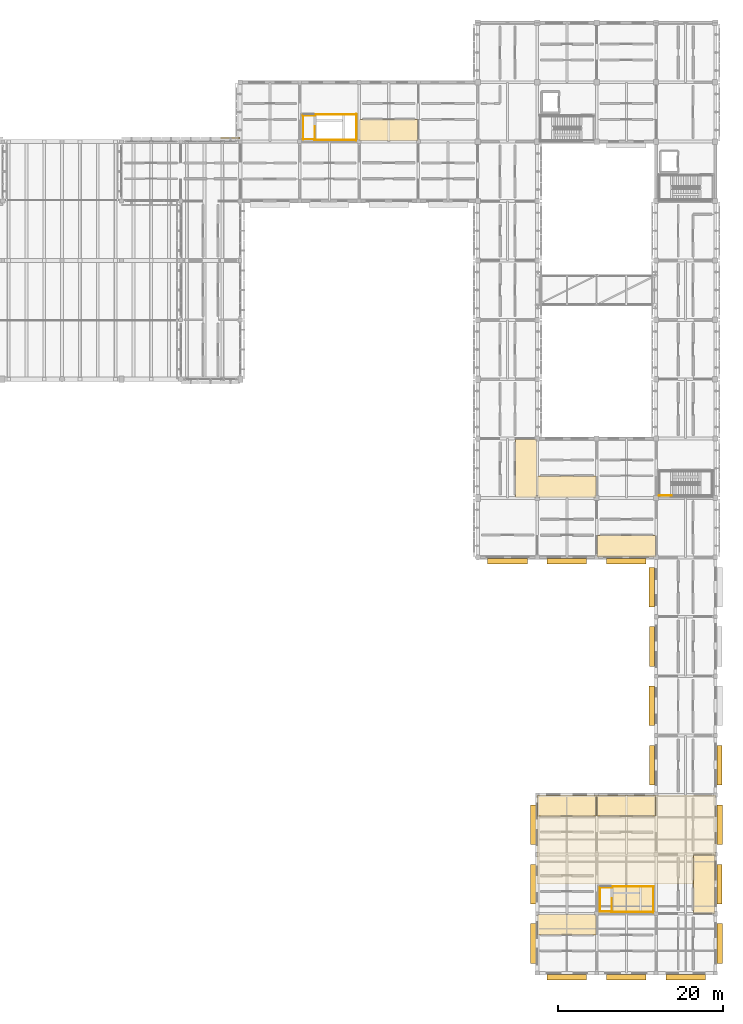
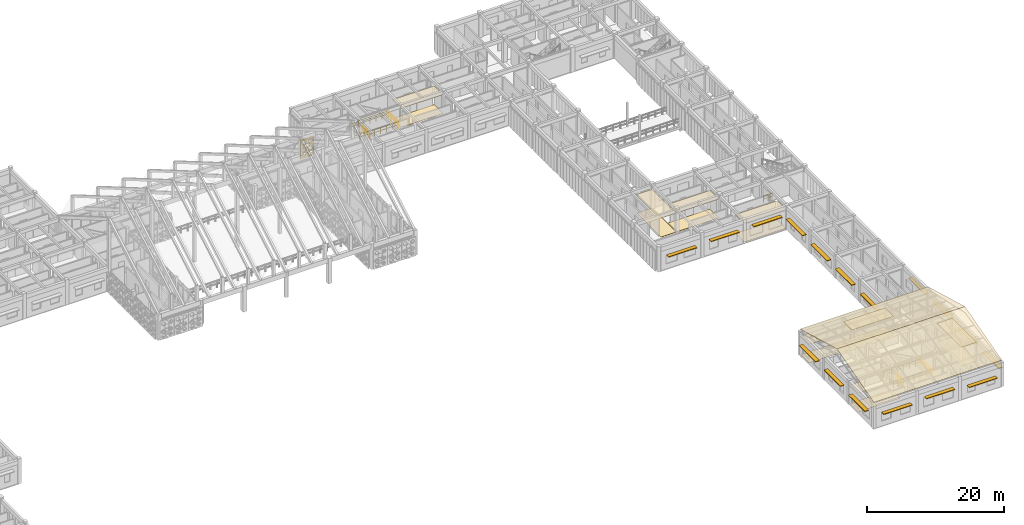
# One storey, part 168 of 171: 19 coverings, 17 shading devices, 15 railings.
"""IFC4 building model written with IfcOpenShell, lengths in metres."""

from ifc_helpers import new_model, si_unit, direction, frame, origin, origin_2d, place, context, subcontext, project, spatial, polyline, rectangle, circle, outline, extrude, material, layer, layer_set, type_object, element, save


model = new_model("IFC4")

# Units and contexts
model_context = context("Model", 3, precision=1e-05, world=origin(), true_north=direction((0.0, 1.0)))
body_context = subcontext(model_context, "Body", "Model", "MODEL_VIEW")
ifc_project = project(units=[si_unit("LENGTHUNIT", "METRE"), si_unit("AREAUNIT", "SQUARE_METRE"), si_unit("VOLUMEUNIT", "CUBIC_METRE"), si_unit("PLANEANGLEUNIT", "RADIAN"), si_unit("MASSUNIT", "GRAM", prefix="KILO")], contexts=[model_context])

# Site, building, storey
site_placement = place(None, origin())
site = spatial("IfcSite", under=ifc_project, at=site_placement, CompositionType="ELEMENT")
building_placement = place(site_placement, origin())
building = spatial("IfcBuilding", under=site, at=building_placement, Name="Aldebral Square Health Centre", CompositionType="ELEMENT")
storey_placement = place(building_placement, frame((0.0, 0.0, 4.5)))
storey = spatial("IfcBuildingStorey", under=building, at=storey_placement, Name="L01", CompositionType="ELEMENT", Elevation=4.5)

# Coverings
ifc_material_1 = material(Name="Hygienic acoustic mineral ceiling tile")
ifc_layer_1 = layer(ifc_material_1, 0.02001953125, Name="Hygienic acoustic mineral ceiling tile")
ifc_layer_set_1 = layer_set([ifc_layer_1], Name="Hygienic acoustic mineral ceiling tile")
covering_type_1 = type_object("IfcCoveringType", Name="COV-CLG-AC", PredefinedType="CEILING", material=ifc_layer_set_1)
covering_1_placement = place(storey_placement, frame((0.0, 0.0, 3.340087890625)))
element("IfcCovering", 1, at=covering_1_placement, inside=storey, type_object=covering_type_1, Name="L01 Occupational Therapy Workshop 21.1N acoustic ceiling", PredefinedType="CEILING", context=body_context, shape_type="SweptSolid", body=[
    extrude(outline(polyline([(144.06005859375, 4.639892578125), (151.139892578125, 4.639892578125), (151.139892578125, 7.139892578125), (144.06005859375, 7.139892578125), (144.06005859375, 4.639892578125)])), origin(), (0.0, 0.0, 1.0), 0.02001953125),
])
covering_2_placement = place(storey_placement, frame((0.0, 0.0, 3.340087890625)))
element("IfcCovering", 2, at=covering_2_placement, inside=storey, type_object=covering_type_1, Name="L01 Occupational Therapy Workshop 21.3N acoustic ceiling", PredefinedType="CEILING", context=body_context, shape_type="SweptSolid", body=[
    extrude(outline(polyline([(144.06005859375, 19.0400390625), (151.139892578125, 19.0400390625), (151.139892578125, 21.5400390625), (144.06005859375, 21.5400390625), (144.06005859375, 19.0400390625)])), origin(), (0.0, 0.0, 1.0), 0.02001953125),
])
covering_3_placement = place(storey_placement, frame((0.0, 0.0, 3.340087890625)))
element("IfcCovering", 3, at=covering_3_placement, inside=storey, type_object=covering_type_1, Name="L01 Occupational Therapy Workshop 22.3N acoustic ceiling", PredefinedType="CEILING", context=body_context, shape_type="SweptSolid", body=[
    extrude(outline(polyline([(151.260009765625, 19.0400390625), (158.340087890625, 19.0400390625), (158.340087890625, 21.5400390625), (151.260009765625, 21.5400390625), (151.260009765625, 19.0400390625)])), origin(), (0.0, 0.0, 1.0), 0.02001953125),
])
covering_4_placement = place(storey_placement, frame((0.0, 0.0, 3.340087890625)))
element("IfcCovering", 4, at=covering_4_placement, inside=storey, type_object=covering_type_1, Name="L01 Occupational Therapy Workshop 23.2E acoustic ceiling", PredefinedType="CEILING", context=body_context, shape_type="SweptSolid", body=[
    extrude(outline(polyline([(162.93994140625, 7.260009765625), (165.5400390625, 7.260009765625), (165.5400390625, 14.340087890625), (162.93994140625, 14.340087890625), (162.93994140625, 7.260009765625)])), origin(), (0.0, 0.0, 1.0), 0.02001953125),
])
covering_5_placement = place(storey_placement, frame((0.0, 0.0, 3.340087890625)))
element("IfcCovering", 5, at=covering_5_placement, inside=storey, type_object=covering_type_1, Name="L01 Pulmonary Function Clinic 18.15S acoustic ceiling", PredefinedType="CEILING", context=body_context, shape_type="SweptSolid", body=[
    extrude(outline(polyline([(122.4599609375, 100.860107421875), (129.5400390625, 100.860107421875), (129.5400390625, 103.47998046875), (122.4599609375, 103.47998046875), (122.4599609375, 100.860107421875)])), origin(), (0.0, 0.0, 1.0), 0.02001953125),
])
covering_6_placement = place(storey_placement, frame((0.0, 0.0, 3.340087890625)))
element("IfcCovering", 6, at=covering_6_placement, inside=storey, type_object=covering_type_1, Name="L01 Audiology Testing Booth 20.9E acoustic ceiling", PredefinedType="CEILING", context=body_context, shape_type="SweptSolid", body=[
    extrude(outline(polyline([(141.340087890625, 57.659912109375), (143.93994140625, 57.659912109375), (143.93994140625, 64.739990234375), (141.340087890625, 64.739990234375), (141.340087890625, 57.659912109375)])), origin(), (0.0, 0.0, 1.0), 0.02001953125),
])
covering_7_placement = place(storey_placement, frame((0.0, 0.0, 3.340087890625)))
element("IfcCovering", 7, at=covering_7_placement, inside=storey, type_object=covering_type_1, Name="L01 Clean Supply Store 21.9S acoustic ceiling", PredefinedType="CEILING", context=body_context, shape_type="SweptSolid", body=[
    extrude(outline(polyline([(144.06005859375, 57.659912109375), (151.139892578125, 57.659912109375), (151.139892578125, 60.280029296875), (144.06005859375, 60.280029296875), (144.06005859375, 57.659912109375)])), origin(), (0.0, 0.0, 1.0), 0.02001953125),
])
covering_8_placement = place(storey_placement, frame((0.0, 0.0, 3.340087890625)))
element("IfcCovering", 8, at=covering_8_placement, inside=storey, type_object=covering_type_1, Name="L01 Pulmonary Function Clinic 22.8S acoustic ceiling", PredefinedType="CEILING", context=body_context, shape_type="SweptSolid", body=[
    extrude(outline(polyline([(151.260009765625, 50.4599609375), (158.340087890625, 50.4599609375), (158.340087890625, 53.080078125), (151.260009765625, 53.080078125), (151.260009765625, 50.4599609375)])), origin(), (0.0, 0.0, 1.0), 0.02001953125),
])
ifc_material_2 = material(Name="Antimicrobial clinical vinyl flooring")
ifc_layer_2 = layer(ifc_material_2, 0.014892578125, Name="Antimicrobial clinical vinyl flooring")
ifc_layer_set_2 = layer_set([ifc_layer_2], Name="Antimicrobial clinical vinyl flooring")
covering_type_2 = type_object("IfcCoveringType", Name="COV-FLR-VN", PredefinedType="FLOORING", material=ifc_layer_set_2)
covering_9_placement = place(storey_placement, origin())
element("IfcCovering", 9, at=covering_9_placement, inside=storey, type_object=covering_type_2, Name="L01 Occupational Therapy Workshop 21.1N clinical flooring", PredefinedType="FLOORING", context=body_context, shape_type="SweptSolid", body=[
    extrude(outline(polyline([(144.06005859375, 4.639892578125), (151.139892578125, 4.639892578125), (151.139892578125, 7.139892578125), (144.06005859375, 7.139892578125), (144.06005859375, 4.639892578125)])), origin(), (0.0, 0.0, 1.0), 0.014892578125),
])
covering_10_placement = place(storey_placement, origin())
element("IfcCovering", 10, at=covering_10_placement, inside=storey, type_object=covering_type_2, Name="L01 Occupational Therapy Workshop 21.3N clinical flooring", PredefinedType="FLOORING", context=body_context, shape_type="SweptSolid", body=[
    extrude(outline(polyline([(144.06005859375, 19.0400390625), (151.139892578125, 19.0400390625), (151.139892578125, 21.5400390625), (144.06005859375, 21.5400390625), (144.06005859375, 19.0400390625)])), origin(), (0.0, 0.0, 1.0), 0.014892578125),
])
covering_11_placement = place(storey_placement, origin())
element("IfcCovering", 11, at=covering_11_placement, inside=storey, type_object=covering_type_2, Name="L01 Occupational Therapy Workshop 22.3N clinical flooring", PredefinedType="FLOORING", context=body_context, shape_type="SweptSolid", body=[
    extrude(outline(polyline([(151.260009765625, 19.0400390625), (158.340087890625, 19.0400390625), (158.340087890625, 21.5400390625), (151.260009765625, 21.5400390625), (151.260009765625, 19.0400390625)])), origin(), (0.0, 0.0, 1.0), 0.014892578125),
])
covering_12_placement = place(storey_placement, origin())
element("IfcCovering", 12, at=covering_12_placement, inside=storey, type_object=covering_type_2, Name="L01 Occupational Therapy Workshop 23.2E clinical flooring", PredefinedType="FLOORING", context=body_context, shape_type="SweptSolid", body=[
    extrude(outline(polyline([(162.93994140625, 7.260009765625), (165.5400390625, 7.260009765625), (165.5400390625, 14.340087890625), (162.93994140625, 14.340087890625), (162.93994140625, 7.260009765625)])), origin(), (0.0, 0.0, 1.0), 0.014892578125),
])
covering_13_placement = place(storey_placement, origin())
element("IfcCovering", 13, at=covering_13_placement, inside=storey, type_object=covering_type_2, Name="L01 Pulmonary Function Clinic 18.15S clinical flooring", PredefinedType="FLOORING", context=body_context, shape_type="SweptSolid", body=[
    extrude(outline(polyline([(122.4599609375, 100.860107421875), (129.5400390625, 100.860107421875), (129.5400390625, 103.47998046875), (122.4599609375, 103.47998046875), (122.4599609375, 100.860107421875)])), origin(), (0.0, 0.0, 1.0), 0.014892578125),
])
covering_14_placement = place(storey_placement, origin())
element("IfcCovering", 14, at=covering_14_placement, inside=storey, type_object=covering_type_2, Name="L01 Audiology Testing Booth 20.9E clinical flooring", PredefinedType="FLOORING", context=body_context, shape_type="SweptSolid", body=[
    extrude(outline(polyline([(141.340087890625, 57.659912109375), (143.93994140625, 57.659912109375), (143.93994140625, 64.739990234375), (141.340087890625, 64.739990234375), (141.340087890625, 57.659912109375)])), origin(), (0.0, 0.0, 1.0), 0.014892578125),
])
covering_15_placement = place(storey_placement, origin())
element("IfcCovering", 15, at=covering_15_placement, inside=storey, type_object=covering_type_2, Name="L01 Clean Supply Store 21.9S clinical flooring", PredefinedType="FLOORING", context=body_context, shape_type="SweptSolid", body=[
    extrude(outline(polyline([(144.06005859375, 57.659912109375), (151.139892578125, 57.659912109375), (151.139892578125, 60.280029296875), (144.06005859375, 60.280029296875), (144.06005859375, 57.659912109375)])), origin(), (0.0, 0.0, 1.0), 0.014892578125),
])
covering_16_placement = place(storey_placement, origin())
element("IfcCovering", 16, at=covering_16_placement, inside=storey, type_object=covering_type_2, Name="L01 Pulmonary Function Clinic 22.8S clinical flooring", PredefinedType="FLOORING", context=body_context, shape_type="SweptSolid", body=[
    extrude(outline(polyline([(151.260009765625, 50.4599609375), (158.340087890625, 50.4599609375), (158.340087890625, 53.080078125), (151.260009765625, 53.080078125), (151.260009765625, 50.4599609375)])), origin(), (0.0, 0.0, 1.0), 0.014892578125),
])
ifc_material_3 = material(Name="Insulated mineral standing-seam roofing")
ifc_layer_3 = layer(ifc_material_3, 0.0400390625, Name="Insulated mineral standing-seam roofing")
ifc_layer_set_3 = layer_set([ifc_layer_3], Name="Insulated mineral standing-seam roofing")
covering_type_3 = type_object("IfcCoveringType", Name="COV-RF-40", PredefinedType="ROOFING", material=ifc_layer_set_3)
for number, where, z_axis, x_axis, name in (
    (17, (144.0, 0.0, 4.554931640625), (0.0, -0.26764274042, 0.963518221675), (1.0, 0.0, 0.0), "Therapy Pavilion V3 pitched roof slope 1 standing-seam roofing"),
    (18, (165.60009765625, 21.60009765625, 4.554931640625), (0.0, 0.26764274042, 0.963518221675), (-1.0, 0.0, 0.0), "Therapy Pavilion V3 pitched roof slope 2 standing-seam roofing"),
):
    element("IfcCovering", number, at=place(storey_placement, frame(where, z_axis=z_axis, x_axis=x_axis)), inside=storey, type_object=covering_type_3, Name=name, PredefinedType="ROOFING", context=body_context, shape_type="SweptSolid", body=[
        extrude(outline(polyline([(0.0, 0.0), (21.60009765625, 0.0), (21.60009765625, 11.208972062142193), (0.0, 11.208972062142193), (0.0, 0.0)])), origin(), (0.0, 0.0, -1.0), 0.0400390625),
    ])
ifc_material_4 = material(Name="Cream cantera perforated stone screen", Category="masonry")
ifc_layer_4 = layer(ifc_material_4, 0.1201171875, Name="Cream cantera perforated stone screen", Category="masonry")
ifc_layer_set_4 = layer_set([ifc_layer_4], Name="Cream cantera perforated stone screen")
covering_type_4 = type_object("IfcCoveringType", Name="COV-SCR-120", PredefinedType="CLADDING", material=ifc_layer_set_4)
covering_17_placement = place(storey_placement, frame((107.97998046875, 101.260009765625, 0.0), z_axis=(0.0, 0.0, 1.0), x_axis=(-1.0, 0.0, 0.0)))
element("IfcCovering", 19, at=covering_17_placement, inside=storey, type_object=covering_type_4, Name="L01 V1 circular-aperture stone screen L01-V1-14-13-N.1", PredefinedType="CLADDING", context=body_context, shape_type="SweptSolid", body=[
    extrude(outline(polyline([(0.0, 0.0), (2.35986328125, 0.0), (2.35986328125, 3.3701171875), (0.0, 3.3701171875), (0.0, 0.0)]), holes=[polyline([(0.973388671875, 0.539306640625), (0.955810546875, 0.427978515625), (0.90478515625, 0.32763671875), (0.8251953125, 0.248046875), (0.724853515625, 0.197021484375), (0.613525390625, 0.17919921875), (0.50244140625, 0.197021484375), (0.402099609375, 0.248046875), (0.322509765625, 0.32763671875), (0.271240234375, 0.427978515625), (0.253662109375, 0.539306640625), (0.271240234375, 0.650390625), (0.322509765625, 0.750732421875), (0.402099609375, 0.830322265625), (0.50244140625, 0.881591796875), (0.613525390625, 0.899169921875), (0.724853515625, 0.881591796875), (0.8251953125, 0.830322265625), (0.90478515625, 0.750732421875), (0.955810546875, 0.650390625), (0.973388671875, 0.539306640625)]), polyline([(2.0546875, 0.572998046875), (2.039794921875, 0.4775390625), (1.995849609375, 0.3916015625), (1.927734375, 0.323486328125), (1.841796875, 0.279541015625), (1.746337890625, 0.264404296875), (1.651123046875, 0.279541015625), (1.565185546875, 0.323486328125), (1.496826171875, 0.3916015625), (1.453125, 0.4775390625), (1.43798828125, 0.572998046875), (1.453125, 0.668212890625), (1.496826171875, 0.754150390625), (1.565185546875, 0.822509765625), (1.651123046875, 0.8662109375), (1.746337890625, 0.88134765625), (1.841796875, 0.8662109375), (1.927734375, 0.822509765625), (1.995849609375, 0.754150390625), (2.039794921875, 0.668212890625), (2.0546875, 0.572998046875)]), polyline([(0.9619140625, 1.415283203125), (0.942626953125, 1.293212890625), (0.886474609375, 1.182861328125), (0.798828125, 1.095458984375), (0.688720703125, 1.039306640625), (0.56640625, 1.02001953125), (0.444091796875, 1.039306640625), (0.333984375, 1.095458984375), (0.246337890625, 1.182861328125), (0.190185546875, 1.293212890625), (0.1708984375, 1.415283203125), (0.190185546875, 1.53759765625), (0.246337890625, 1.64794921875), (0.333984375, 1.7353515625), (0.444091796875, 1.79150390625), (0.56640625, 1.810791015625), (0.688720703125, 1.79150390625), (0.798828125, 1.7353515625), (0.886474609375, 1.64794921875), (0.942626953125, 1.53759765625), (0.9619140625, 1.415283203125)]), polyline([(2.117919921875, 1.48291015625), (2.099853515625, 1.367919921875), (2.047119140625, 1.264404296875), (1.96484375, 1.18212890625), (1.861328125, 1.12939453125), (1.746337890625, 1.111083984375), (1.631591796875, 1.12939453125), (1.528076171875, 1.18212890625), (1.44580078125, 1.264404296875), (1.39306640625, 1.367919921875), (1.374755859375, 1.48291015625), (1.39306640625, 1.59765625), (1.44580078125, 1.701171875), (1.528076171875, 1.783447265625), (1.631591796875, 1.836181640625), (1.746337890625, 1.8544921875), (1.861328125, 1.836181640625), (1.96484375, 1.783447265625), (2.047119140625, 1.701171875), (2.099853515625, 1.59765625), (2.117919921875, 1.48291015625)]), polyline([(1.4248046875, 0.977294921875), (1.412841796875, 0.901611328125), (1.3779296875, 0.83349609375), (1.32373046875, 0.779296875), (1.255615234375, 0.74462890625), (1.179931640625, 0.732666015625), (1.1044921875, 0.74462890625), (1.0361328125, 0.779296875), (0.98193359375, 0.83349609375), (0.947265625, 0.901611328125), (0.935302734375, 0.977294921875), (0.947265625, 1.052978515625), (0.98193359375, 1.12109375), (1.0361328125, 1.17529296875), (1.1044921875, 1.2099609375), (1.179931640625, 1.221923828125), (1.255615234375, 1.2099609375), (1.32373046875, 1.17529296875), (1.3779296875, 1.12109375), (1.412841796875, 1.052978515625), (1.4248046875, 0.977294921875)]), polyline([(1.555419921875, 2.123046875), (1.535888671875, 1.999755859375), (1.479248046875, 1.888427734375), (1.390869140625, 1.80029296875), (1.27978515625, 1.74365234375), (1.156494140625, 1.72412109375), (1.032958984375, 1.74365234375), (0.921875, 1.80029296875), (0.83349609375, 1.888427734375), (0.77685546875, 1.999755859375), (0.75732421875, 2.123046875), (0.77685546875, 2.246337890625), (0.83349609375, 2.357666015625), (0.921875, 2.446044921875), (1.032958984375, 2.502685546875), (1.156494140625, 2.522216796875), (1.27978515625, 2.502685546875), (1.390869140625, 2.446044921875), (1.479248046875, 2.357666015625), (1.535888671875, 2.246337890625), (1.555419921875, 2.123046875)]), polyline([(0.904296875, 2.763427734375), (0.8876953125, 2.658935546875), (0.839599609375, 2.56494140625), (0.764892578125, 2.490234375), (0.6708984375, 2.442138671875), (0.56640625, 2.425537109375), (0.4619140625, 2.442138671875), (0.367919921875, 2.490234375), (0.293212890625, 2.56494140625), (0.2451171875, 2.658935546875), (0.228515625, 2.763427734375), (0.2451171875, 2.86767578125), (0.293212890625, 2.9619140625), (0.367919921875, 3.03662109375), (0.4619140625, 3.084716796875), (0.56640625, 3.101318359375), (0.6708984375, 3.084716796875), (0.764892578125, 3.03662109375), (0.839599609375, 2.9619140625), (0.8876953125, 2.86767578125), (0.904296875, 2.763427734375)]), polyline([(2.14599609375, 2.729736328125), (2.12890625, 2.620849609375), (2.078857421875, 2.5224609375), (2.000732421875, 2.444580078125), (1.902587890625, 2.39453125), (1.793701171875, 2.377197265625), (1.6845703125, 2.39453125), (1.58642578125, 2.444580078125), (1.50830078125, 2.5224609375), (1.458251953125, 2.620849609375), (1.441162109375, 2.729736328125), (1.458251953125, 2.838623046875), (1.50830078125, 2.93701171875), (1.58642578125, 3.014892578125), (1.6845703125, 3.06494140625), (1.793701171875, 3.082275390625), (1.902587890625, 3.06494140625), (2.000732421875, 3.014892578125), (2.078857421875, 2.93701171875), (2.12890625, 2.838623046875), (2.14599609375, 2.729736328125)])]), frame((0.0, 0.06005859375, 0.0), z_axis=(0.0, -1.0, 0.0), x_axis=(1.0, 0.0, 0.0)), (0.0, 0.0, 1.0), 0.1201171875),
])

# Railings
ifc_material_5 = material(Name="Painted steel S355JR stair guard", Category="steel")
railing_type = type_object("IfcRailingType", Name="RL-ST-GRD", PredefinedType="GUARDRAIL", material=ifc_material_5)
railing_1_placement = place(storey_placement, frame((153.030029296875, 7.43994140625, 0.0)))
element("IfcRailing", 20, at=railing_1_placement, inside=storey, type_object=railing_type, Name="L01 ST-08 top well guard 1", PredefinedType="GUARDRAIL", context=body_context, shape_type="SweptSolid", body=[
    extrude(circle(Radius=0.02392578125, at=origin_2d()), frame((0.0, 0.0, 1.09619140625), z_axis=(0.0, 1.0, 0.0), x_axis=(-1.0, 0.0, 0.0)), (0.0, 0.0, 1.0), 1.60009765625),
    extrude(circle(Radius=0.02392578125, at=origin_2d()), frame((0.0, 0.0, 0.56005859375), z_axis=(0.0, 1.0, 0.0), x_axis=(-1.0, 0.0, 0.0)), (0.0, 0.0, 1.0), 1.60009765625),
    extrude(circle(Radius=0.02099609375, at=origin_2d()), origin(), (0.0, 0.0, 1.0), 1.072021484375),
    extrude(circle(Radius=0.02099609375, at=origin_2d()), frame((0.0, 0.800048828125, 0.0)), (0.0, 0.0, 1.0), 1.072021484375),
    extrude(circle(Radius=0.02099609375, at=origin_2d()), frame((0.0, 1.60009765625, 0.0)), (0.0, 0.0, 1.0), 1.072021484375),
])
for number, where, name in (
    (21, (152.97998046875, 7.389892578125, 0.0), "L01 ST-08 top well guard 2"),
    (22, (152.97998046875, 10.489990234375, 0.0), "L01 ST-08 top well guard 3"),
):
    element("IfcRailing", number, at=place(storey_placement, frame(where)), inside=storey, type_object=railing_type, Name=name, PredefinedType="GUARDRAIL", context=body_context, shape_type="SweptSolid", body=[
        extrude(circle(Radius=0.02392578125, at=origin_2d()), frame((0.0, 0.0, 1.09619140625), z_axis=(1.0, 0.0, 0.0), x_axis=(0.0, 1.0, 0.0)), (0.0, 0.0, 1.0), 5.14013671875),
        extrude(circle(Radius=0.02392578125, at=origin_2d()), frame((0.0, 0.0, 0.56005859375), z_axis=(1.0, 0.0, 0.0), x_axis=(0.0, 1.0, 0.0)), (0.0, 0.0, 1.0), 5.14013671875),
        extrude(circle(Radius=0.02099609375, at=origin_2d()), origin(), (0.0, 0.0, 1.0), 1.072021484375),
        extrude(circle(Radius=0.02099609375, at=origin_2d()), frame((1.028076171875, 0.0, 0.0)), (0.0, 0.0, 1.0), 1.072021484375),
        extrude(circle(Radius=0.02099609375, at=origin_2d()), frame((2.05615234375, 0.0, 0.0)), (0.0, 0.0, 1.0), 1.072021484375),
        extrude(circle(Radius=0.02099609375, at=origin_2d()), frame((3.083984375, 0.0, 0.0)), (0.0, 0.0, 1.0), 1.072021484375),
        extrude(circle(Radius=0.02099609375, at=origin_2d()), frame((4.112060546875, 0.0, 0.0)), (0.0, 0.0, 1.0), 1.072021484375),
        extrude(circle(Radius=0.02099609375, at=origin_2d()), frame((5.14013671875, 0.0, 0.0)), (0.0, 0.0, 1.0), 1.072021484375),
    ])
railing_2_placement = place(storey_placement, frame((158.070068359375, 7.340087890625, 0.0)))
element("IfcRailing", 23, at=railing_2_placement, inside=storey, type_object=railing_type, Name="L01 ST-08 top well guard 4", PredefinedType="GUARDRAIL", context=body_context, shape_type="SweptSolid", body=[
    extrude(circle(Radius=0.02392578125, at=origin_2d()), frame((0.0, 0.0, 1.09619140625), z_axis=(0.0, 1.0, 0.0), x_axis=(-1.0, 0.0, 0.0)), (0.0, 0.0, 1.0), 3.199951171875),
    extrude(circle(Radius=0.02392578125, at=origin_2d()), frame((0.0, 0.0, 0.56005859375), z_axis=(0.0, 1.0, 0.0), x_axis=(-1.0, 0.0, 0.0)), (0.0, 0.0, 1.0), 3.199951171875),
    extrude(circle(Radius=0.02099609375, at=origin_2d()), origin(), (0.0, 0.0, 1.0), 1.072021484375),
    extrude(circle(Radius=0.02099609375, at=origin_2d()), frame((0.0, 1.066650390625, 0.0)), (0.0, 0.0, 1.0), 1.072021484375),
    extrude(circle(Radius=0.02099609375, at=origin_2d()), frame((0.0, 2.13330078125, 0.0)), (0.0, 0.0, 1.0), 1.072021484375),
    extrude(circle(Radius=0.02099609375, at=origin_2d()), frame((0.0, 3.199951171875, 0.0)), (0.0, 0.0, 1.0), 1.072021484375),
])
for number, where, name in (
    (24, (151.580078125, 7.489990234375, 0.0), "L01 ST-08 top well guard 5"),
    (25, (151.580078125, 10.389892578125, 0.0), "L01 ST-08 top well guard 6"),
):
    element("IfcRailing", number, at=place(storey_placement, frame(where)), inside=storey, type_object=railing_type, Name=name, PredefinedType="GUARDRAIL", context=body_context, shape_type="SweptSolid", body=[
        extrude(circle(Radius=0.02392578125, at=origin_2d()), frame((0.0, 0.0, 1.09619140625), z_axis=(1.0, 0.0, 0.0), x_axis=(0.0, 1.0, 0.0)), (0.0, 0.0, 1.0), 1.5),
        extrude(circle(Radius=0.02392578125, at=origin_2d()), frame((0.0, 0.0, 0.56005859375), z_axis=(1.0, 0.0, 0.0), x_axis=(0.0, 1.0, 0.0)), (0.0, 0.0, 1.0), 1.5),
        extrude(circle(Radius=0.02099609375, at=origin_2d()), origin(), (0.0, 0.0, 1.0), 1.072021484375),
        extrude(circle(Radius=0.02099609375, at=origin_2d()), frame((0.75, 0.0, 0.0)), (0.0, 0.0, 1.0), 1.072021484375),
        extrude(circle(Radius=0.02099609375, at=origin_2d()), frame((1.5, 0.0, 0.0)), (0.0, 0.0, 1.0), 1.072021484375),
    ])
railing_3_placement = place(storey_placement, frame((151.6298828125, 7.43994140625, 0.0)))
element("IfcRailing", 26, at=railing_3_placement, inside=storey, type_object=railing_type, Name="L01 ST-08 top well guard 7", PredefinedType="GUARDRAIL", context=body_context, shape_type="SweptSolid", body=[
    extrude(circle(Radius=0.02392578125, at=origin_2d()), frame((0.0, 0.0, 1.09619140625), z_axis=(0.0, 1.0, 0.0), x_axis=(-1.0, 0.0, 0.0)), (0.0, 0.0, 1.0), 3.0),
    extrude(circle(Radius=0.02392578125, at=origin_2d()), frame((0.0, 0.0, 0.56005859375), z_axis=(0.0, 1.0, 0.0), x_axis=(-1.0, 0.0, 0.0)), (0.0, 0.0, 1.0), 3.0),
    extrude(circle(Radius=0.02099609375, at=origin_2d()), origin(), (0.0, 0.0, 1.0), 1.072021484375),
    extrude(circle(Radius=0.02099609375, at=origin_2d()), frame((0.0, 1.0, 0.0)), (0.0, 0.0, 1.0), 1.072021484375),
    extrude(circle(Radius=0.02099609375, at=origin_2d()), frame((0.0, 2.0, 0.0)), (0.0, 0.0, 1.0), 1.072021484375),
    extrude(circle(Radius=0.02099609375, at=origin_2d()), frame((0.0, 3.0, 0.0)), (0.0, 0.0, 1.0), 1.072021484375),
])
railing_4_placement = place(storey_placement, frame((158.780029296875, 57.889892578125, 0.0)))
element("IfcRailing", 27, at=railing_4_placement, inside=storey, type_object=railing_type, Name="L01 ST-09 stair guard 8", PredefinedType="GUARDRAIL", context=body_context, shape_type="SweptSolid", body=[
    extrude(circle(Radius=0.02392578125, at=origin_2d()), frame((0.0, 0.0, 1.09619140625), z_axis=(1.0, 0.0, 0.0), x_axis=(0.0, 1.0, 0.0)), (0.0, 0.0, 1.0), 1.5),
    extrude(circle(Radius=0.02392578125, at=origin_2d()), frame((0.0, 0.0, 0.56005859375), z_axis=(1.0, 0.0, 0.0), x_axis=(0.0, 1.0, 0.0)), (0.0, 0.0, 1.0), 1.5),
    extrude(circle(Radius=0.02099609375, at=origin_2d()), origin(), (0.0, 0.0, 1.0), 1.072021484375),
    extrude(circle(Radius=0.02099609375, at=origin_2d()), frame((0.75, 0.0, 0.0)), (0.0, 0.0, 1.0), 1.072021484375),
    extrude(circle(Radius=0.02099609375, at=origin_2d()), frame((1.5, 0.0, 0.0)), (0.0, 0.0, 1.0), 1.072021484375),
])
railing_5_placement = place(storey_placement, frame((117.030029296875, 101.0400390625, 0.0)))
element("IfcRailing", 28, at=railing_5_placement, inside=storey, type_object=railing_type, Name="L01 ST-10 top well guard 1", PredefinedType="GUARDRAIL", context=body_context, shape_type="SweptSolid", body=[
    extrude(circle(Radius=0.02392578125, at=origin_2d()), frame((0.0, 0.0, 1.09619140625), z_axis=(0.0, 1.0, 0.0), x_axis=(-1.0, 0.0, 0.0)), (0.0, 0.0, 1.0), 1.599853515625),
    extrude(circle(Radius=0.02392578125, at=origin_2d()), frame((0.0, 0.0, 0.56005859375), z_axis=(0.0, 1.0, 0.0), x_axis=(-1.0, 0.0, 0.0)), (0.0, 0.0, 1.0), 1.599853515625),
    extrude(circle(Radius=0.02099609375, at=origin_2d()), origin(), (0.0, 0.0, 1.0), 1.072021484375),
    extrude(circle(Radius=0.02099609375, at=origin_2d()), frame((0.0, 0.7998046875, 0.0)), (0.0, 0.0, 1.0), 1.072021484375),
    extrude(circle(Radius=0.02099609375, at=origin_2d()), frame((0.0, 1.599853515625, 0.0)), (0.0, 0.0, 1.0), 1.072021484375),
])
for number, where, name in (
    (29, (116.97998046875, 100.989990234375, 0.0), "L01 ST-10 top well guard 2"),
    (30, (116.97998046875, 104.090087890625, 0.0), "L01 ST-10 top well guard 3"),
):
    element("IfcRailing", number, at=place(storey_placement, frame(where)), inside=storey, type_object=railing_type, Name=name, PredefinedType="GUARDRAIL", context=body_context, shape_type="SweptSolid", body=[
        extrude(circle(Radius=0.02392578125, at=origin_2d()), frame((0.0, 0.0, 1.09619140625), z_axis=(1.0, 0.0, 0.0), x_axis=(0.0, 1.0, 0.0)), (0.0, 0.0, 1.0), 5.14013671875),
        extrude(circle(Radius=0.02392578125, at=origin_2d()), frame((0.0, 0.0, 0.56005859375), z_axis=(1.0, 0.0, 0.0), x_axis=(0.0, 1.0, 0.0)), (0.0, 0.0, 1.0), 5.14013671875),
        extrude(circle(Radius=0.02099609375, at=origin_2d()), origin(), (0.0, 0.0, 1.0), 1.072021484375),
        extrude(circle(Radius=0.02099609375, at=origin_2d()), frame((1.028076171875, 0.0, 0.0)), (0.0, 0.0, 1.0), 1.072021484375),
        extrude(circle(Radius=0.02099609375, at=origin_2d()), frame((2.05615234375, 0.0, 0.0)), (0.0, 0.0, 1.0), 1.072021484375),
        extrude(circle(Radius=0.02099609375, at=origin_2d()), frame((3.083984375, 0.0, 0.0)), (0.0, 0.0, 1.0), 1.072021484375),
        extrude(circle(Radius=0.02099609375, at=origin_2d()), frame((4.112060546875, 0.0, 0.0)), (0.0, 0.0, 1.0), 1.072021484375),
        extrude(circle(Radius=0.02099609375, at=origin_2d()), frame((5.14013671875, 0.0, 0.0)), (0.0, 0.0, 1.0), 1.072021484375),
    ])
railing_6_placement = place(storey_placement, frame((122.070068359375, 100.93994140625, 0.0)))
element("IfcRailing", 31, at=railing_6_placement, inside=storey, type_object=railing_type, Name="L01 ST-10 top well guard 4", PredefinedType="GUARDRAIL", context=body_context, shape_type="SweptSolid", body=[
    extrude(circle(Radius=0.02392578125, at=origin_2d()), frame((0.0, 0.0, 1.09619140625), z_axis=(0.0, 1.0, 0.0), x_axis=(-1.0, 0.0, 0.0)), (0.0, 0.0, 1.0), 3.199951171875),
    extrude(circle(Radius=0.02392578125, at=origin_2d()), frame((0.0, 0.0, 0.56005859375), z_axis=(0.0, 1.0, 0.0), x_axis=(-1.0, 0.0, 0.0)), (0.0, 0.0, 1.0), 3.199951171875),
    extrude(circle(Radius=0.02099609375, at=origin_2d()), origin(), (0.0, 0.0, 1.0), 1.072021484375),
    extrude(circle(Radius=0.02099609375, at=origin_2d()), frame((0.0, 1.066650390625, 0.0)), (0.0, 0.0, 1.0), 1.072021484375),
    extrude(circle(Radius=0.02099609375, at=origin_2d()), frame((0.0, 2.13330078125, 0.0)), (0.0, 0.0, 1.0), 1.072021484375),
    extrude(circle(Radius=0.02099609375, at=origin_2d()), frame((0.0, 3.199951171875, 0.0)), (0.0, 0.0, 1.0), 1.072021484375),
])
for number, where, name in (
    (32, (115.580078125, 101.090087890625, 0.0), "L01 ST-10 top well guard 5"),
    (33, (115.580078125, 103.989990234375, 0.0), "L01 ST-10 top well guard 6"),
):
    element("IfcRailing", number, at=place(storey_placement, frame(where)), inside=storey, type_object=railing_type, Name=name, PredefinedType="GUARDRAIL", context=body_context, shape_type="SweptSolid", body=[
        extrude(circle(Radius=0.02392578125, at=origin_2d()), frame((0.0, 0.0, 1.09619140625), z_axis=(1.0, 0.0, 0.0), x_axis=(0.0, 1.0, 0.0)), (0.0, 0.0, 1.0), 1.5),
        extrude(circle(Radius=0.02392578125, at=origin_2d()), frame((0.0, 0.0, 0.56005859375), z_axis=(1.0, 0.0, 0.0), x_axis=(0.0, 1.0, 0.0)), (0.0, 0.0, 1.0), 1.5),
        extrude(circle(Radius=0.02099609375, at=origin_2d()), origin(), (0.0, 0.0, 1.0), 1.072021484375),
        extrude(circle(Radius=0.02099609375, at=origin_2d()), frame((0.75, 0.0, 0.0)), (0.0, 0.0, 1.0), 1.072021484375),
        extrude(circle(Radius=0.02099609375, at=origin_2d()), frame((1.5, 0.0, 0.0)), (0.0, 0.0, 1.0), 1.072021484375),
    ])
railing_7_placement = place(storey_placement, frame((115.6298828125, 101.0400390625, 0.0)))
element("IfcRailing", 34, at=railing_7_placement, inside=storey, type_object=railing_type, Name="L01 ST-10 top well guard 7", PredefinedType="GUARDRAIL", context=body_context, shape_type="SweptSolid", body=[
    extrude(circle(Radius=0.02392578125, at=origin_2d()), frame((0.0, 0.0, 1.09619140625), z_axis=(0.0, 1.0, 0.0), x_axis=(-1.0, 0.0, 0.0)), (0.0, 0.0, 1.0), 3.0),
    extrude(circle(Radius=0.02392578125, at=origin_2d()), frame((0.0, 0.0, 0.56005859375), z_axis=(0.0, 1.0, 0.0), x_axis=(-1.0, 0.0, 0.0)), (0.0, 0.0, 1.0), 3.0),
    extrude(circle(Radius=0.02099609375, at=origin_2d()), origin(), (0.0, 0.0, 1.0), 1.072021484375),
    extrude(circle(Radius=0.02099609375, at=origin_2d()), frame((0.0, 1.0, 0.0)), (0.0, 0.0, 1.0), 1.072021484375),
    extrude(circle(Radius=0.02099609375, at=origin_2d()), frame((0.0, 2.0, 0.0)), (0.0, 0.0, 1.0), 1.072021484375),
    extrude(circle(Radius=0.02099609375, at=origin_2d()), frame((0.0, 3.0, 0.0)), (0.0, 0.0, 1.0), 1.072021484375),
])

# Shading devices
ifc_material_6 = material(Name="Sienna-terracotta solar hood", Category="masonry")
shading_device_type = type_object("IfcShadingDeviceType", Name="SHD-LVR-1", PredefinedType="JALOUSIE", material=ifc_material_6)
for number, where, z_axis, x_axis, name in (
    (35, (140.39990234375, 49.93505859375, 2.419921875), (0.0, 0.0, 1.0), (1.0, 0.0, 0.0), "L01 solar hood L01-V5-19-07-S"),
    (36, (147.60009765625, -0.5048828125, 2.419921875), (0.0, 0.0, 1.0), (1.0, 0.0, 0.0), "L01 solar hood L01-V3-20-00-S"),
    (37, (143.4951171875, 3.60009765625, 2.419921875), (0.0, 0.0, 1.0), (0.0, 1.0, 0.0), "L01 solar hood L01-V3-20-00-W"),
    (38, (143.5048828125, 10.800048828125, 2.5400390625), (0.0, 0.0, 1.0), (0.0, 1.0, 0.0), "L01 solar hood L01-V3-20-01-W"),
    (39, (143.4951171875, 18.0, 2.5400390625), (0.0, 0.0, 1.0), (0.0, 1.0, 0.0), "L01 solar hood L01-V3-20-02-W"),
    (40, (147.60009765625, 49.93505859375, 2.669921875), (0.0, 0.0, 1.0), (1.0, 0.0, 0.0), "L01 solar hood L01-V5-20-07-S"),
    (41, (154.800048828125, -0.4951171875, 2.669921875), (0.0, 0.0, 1.0), (1.0, 0.0, 0.0), "L01 solar hood L01-V3-21-00-S"),
    (42, (154.800048828125, 49.93505859375, 2.800048828125), (0.0, 0.0, 1.0), (1.0, 0.0, 0.0), "L01 solar hood L01-V5-21-07-S"),
    (43, (162.0, -0.5048828125, 2.169921875), (0.0, 0.0, 1.0), (1.0, 0.0, 0.0), "L01 solar hood L01-V3-22-00-S"),
    (44, (166.10498046875, 3.60009765625, 2.169921875), (0.0, 0.0, 1.0), (0.0, 1.0, 0.0), "L01 solar hood L01-V3-22-00-E"),
    (45, (166.094970703125, 10.800048828125, 2.169921875), (0.0, 0.0, 1.0), (0.0, 1.0, 0.0), "L01 solar hood L01-V3-22-01-E"),
    (46, (166.10498046875, 18.0, 2.300048828125), (0.0, 0.0, 1.0), (0.0, 1.0, 0.0), "L01 solar hood L01-V3-22-02-E"),
    (47, (157.905029296875, 25.199951171875, 2.300048828125), (0.0, 0.0, 1.0), (0.0, 1.0, 0.0), "L01 solar hood L01-V3-22-03-W"),
    (48, (166.094970703125, 25.199951171875, 2.300048828125), (0.0, 0.0, 1.0), (0.0, 1.0, 0.0), "L01 solar hood L01-V3-22-03-E"),
    (49, (157.89501953125, 32.39990234375, 2.419921875), (0.0, 0.0, 1.0), (0.0, 1.0, 0.0), "L01 solar hood L01-V3-22-04-W"),
    (50, (157.905029296875, 39.60009765625, 2.419921875), (0.0, 0.0, 1.0), (0.0, 1.0, 0.0), "L01 solar hood L01-V3-22-05-W"),
    (51, (157.89501953125, 46.800048828125, 2.5400390625), (0.0, 0.0, 1.0), (0.0, 1.0, 0.0), "L01 solar hood L01-V3-22-06-W"),
):
    element("IfcShadingDevice", number, at=place(storey_placement, frame(where, z_axis=z_axis, x_axis=x_axis)), inside=storey, type_object=shading_device_type, Name=name, PredefinedType="JALOUSIE", context=body_context, shape_type="SweptSolid", body=[
        extrude(rectangle(XDim=4.800048828125, YDim=0.64990234375, at=origin_2d()), origin(), (0.0, 0.0, 1.0), 0.1201171875),
    ])

save(model, "model.ifc")
